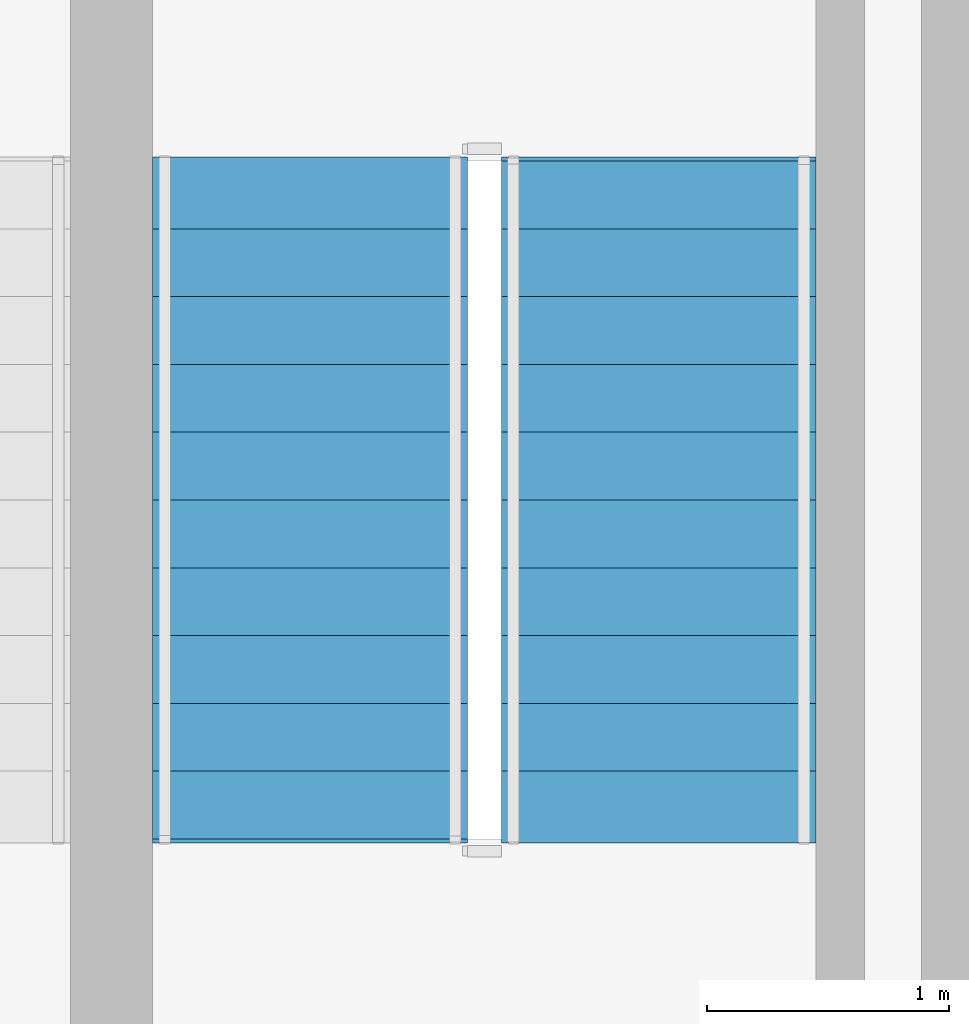
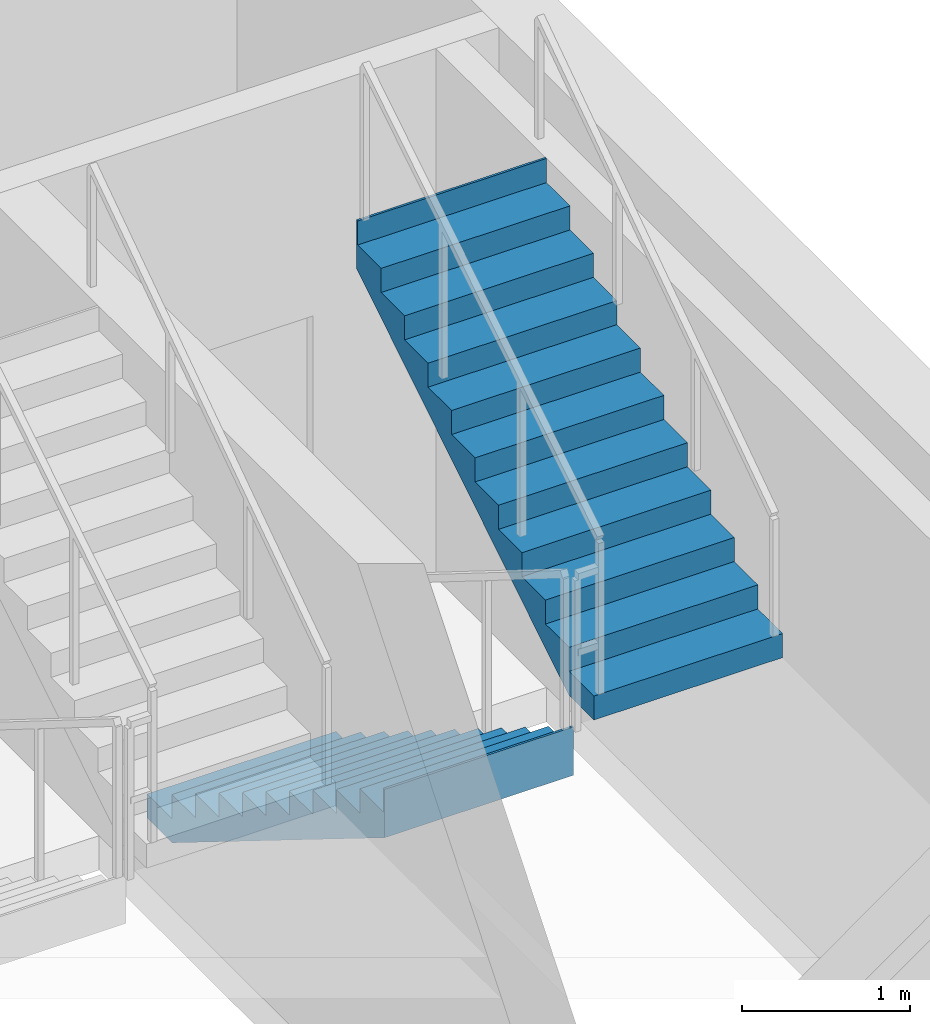
# One storey, part 5 of 7: 2 stair flights, 1 element without a shape of its own.
"""IFC4 building model written with IfcOpenShell, lengths in metres."""

import ifcopenshell
import ifcopenshell.guid

model = None  # the IFC model being written
_history = None  # IfcOwnerHistory: only IFC2X3 demands one
_inside = {}  # id of a spatial element -> (the spatial element, [elements in it])
_under = {}  # id of a project, library or spatial element -> (it, [spatial elements below it])
_declared = {}  # id of a project -> (the project, [libraries it declares])
_typed = {}  # id of a type object -> (the type object, [elements of that type])
_made_of = {}  # id of a material, layer set ... -> (it, [elements and type objects made of it])


def new_model(schema):
    """Start an empty IFC model of exactly this schema.

    Asked for "IFC4X3", IfcOpenShell would pick the latest addendum, in which some entities
    have other attributes; the version numbers below select the first issue.
    IFC2X3 requires an IfcOwnerHistory on every rooted entity: one is made here for all.
    """
    global model, _history
    if schema == "IFC4X3":
        model = ifcopenshell.file(schema_version=(4, 3, 0, 0))
    else:
        model = ifcopenshell.file(schema=schema)
    _inside.clear()
    _under.clear()
    _declared.clear()
    _typed.clear()
    _made_of.clear()
    _history = None
    if model.schema == "IFC2X3":
        org = make("IfcOrganization", Name="unknown")
        user = make(
            "IfcPersonAndOrganization",
            ThePerson=make("IfcPerson", FamilyName="unknown"),
            TheOrganization=org,
        )
        app = make(
            "IfcApplication",
            ApplicationDeveloper=org,
            Version="unknown",
            ApplicationFullName="unknown",
            ApplicationIdentifier="unknown",
        )
        _history = make(
            "IfcOwnerHistory",
            OwningUser=user,
            OwningApplication=app,
            ChangeAction="ADDED",
            CreationDate=0,
        )
    return model


def make(cls, **values):
    """One entity of the class cls with the attributes given. An attribute that is None is left unset."""
    return model.create_entity(
        cls, **{name: value for name, value in values.items() if value is not None}
    )


def rooted(cls, **values):
    """An entity with a GlobalId (a new one), such as an element, a storey or a relation."""
    return make(cls, GlobalId=ifcopenshell.guid.new(), OwnerHistory=_history, **values)


def si_unit(unit_type, name, prefix=None):
    """IfcSIUnit, for example si_unit("LENGTHUNIT", "METRE", prefix="MILLI")."""
    return make("IfcSIUnit", UnitType=unit_type, Prefix=prefix, Name=name)


def derived_unit(unit_type, elements):
    """IfcDerivedUnit: a product of units, each with its exponent."""
    return make(
        "IfcDerivedUnit",
        Elements=[
            make("IfcDerivedUnitElement", Unit=unit, Exponent=power)
            for unit, power in elements
        ],
        UnitType=unit_type,
    )


def assignment(units):
    """IfcUnitAssignment: the units of a project."""
    return None if units is None else make("IfcUnitAssignment", Units=units)


def point(xyz):
    """IfcCartesianPoint."""
    return None if xyz is None else make("IfcCartesianPoint", Coordinates=xyz)


def direction(xyz):
    """IfcDirection."""
    return None if xyz is None else make("IfcDirection", DirectionRatios=xyz)


def frame(location, z_axis=None, x_axis=None):
    """IfcAxis2Placement3D, a coordinate frame: its origin and axes. An axis left out is left unset."""
    return make(
        "IfcAxis2Placement3D",
        Location=point(location),
        Axis=direction(z_axis),
        RefDirection=direction(x_axis),
    )


def origin():
    """The frame at (0, 0, 0) with its axes left unset."""
    return frame((0.0, 0.0, 0.0))


def place(relative_to, where):
    """IfcLocalPlacement: puts the frame where relative to a parent placement (None: the world)."""
    return make(
        "IfcLocalPlacement", PlacementRelTo=relative_to, RelativePlacement=where
    )


def context(
    kind, dimensions, precision=None, world=None, true_north=None, identifier=None
):
    """IfcGeometricRepresentationContext, for example the 3D "Model" context."""
    return make(
        "IfcGeometricRepresentationContext",
        ContextIdentifier=identifier,
        ContextType=kind,
        CoordinateSpaceDimension=dimensions,
        Precision=precision,
        WorldCoordinateSystem=world,
        TrueNorth=true_north,
    )


def subcontext(parent, identifier, kind, view, scale=None):
    """IfcGeometricRepresentationSubContext, for example "Body" below "Model"."""
    return make(
        "IfcGeometricRepresentationSubContext",
        ContextIdentifier=identifier,
        ContextType=kind,
        ParentContext=parent,
        TargetScale=scale,
        TargetView=view,
    )


def project(units=None, contexts=None):
    """IfcProject with its units and contexts."""
    return rooted(
        "IfcProject",
        Name="project",
        RepresentationContexts=contexts,
        UnitsInContext=assignment(units),
    )


def spatial(cls, under=None, at=None, **own):
    """A site, building, storey or space (cls), placed at a placement, below another one or the project."""
    s = rooted(cls, ObjectPlacement=at, **own)
    if under is not None:
        _under.setdefault(under.id(), (under, []))[1].append(s)
    return s


def polyline(points):
    """IfcPolyline through the points."""
    return make("IfcPolyline", Points=[point(p) for p in points])


def outline(outer, holes=None, kind="AREA"):
    """IfcArbitraryClosedProfileDef: a profile drawn as a closed curve; with holes, ...WithVoids."""
    if holes is None:
        return make("IfcArbitraryClosedProfileDef", ProfileType=kind, OuterCurve=outer)
    return make(
        "IfcArbitraryProfileDefWithVoids",
        ProfileType=kind,
        OuterCurve=outer,
        InnerCurves=holes,
    )


def extrude(swept, where, along, depth):
    """IfcExtrudedAreaSolid: the profile swept, set in the frame where, extruded along a direction by depth."""
    return make(
        "IfcExtrudedAreaSolid",
        SweptArea=swept,
        Position=where,
        ExtrudedDirection=direction(along),
        Depth=depth,
    )


def shape(context_of_items, identifier, shape_type, items):
    """IfcShapeRepresentation: the items that make up one representation, for example the "Body"."""
    return make(
        "IfcShapeRepresentation",
        ContextOfItems=context_of_items,
        RepresentationIdentifier=identifier,
        RepresentationType=shape_type,
        Items=items,
    )


def source(mapping_origin, context_of_items, identifier, shape_type, items):
    """IfcRepresentationMap: a shape defined once, which mapped items show again and again."""
    return make(
        "IfcRepresentationMap",
        MappingOrigin=mapping_origin,
        MappedRepresentation=shape(context_of_items, identifier, shape_type, items),
    )


def transform(
    local_origin,
    x_axis=None,
    y_axis=None,
    z_axis=None,
    scale=None,
    scale2=None,
    scale3=None,
    uniform=True,
):
    """IfcCartesianTransformationOperator3D, or its non-uniform kind. x_axis, y_axis, z_axis: its Axis1, 2, 3."""
    if uniform:
        return make(
            "IfcCartesianTransformationOperator3D",
            Axis1=direction(x_axis),
            Axis2=direction(y_axis),
            LocalOrigin=point(local_origin),
            Scale=scale,
            Axis3=direction(z_axis),
        )
    return make(
        "IfcCartesianTransformationOperator3DnonUniform",
        Axis1=direction(x_axis),
        Axis2=direction(y_axis),
        LocalOrigin=point(local_origin),
        Scale=scale,
        Axis3=direction(z_axis),
        Scale2=scale2,
        Scale3=scale3,
    )


def mapped(mapping_source, mapping_target):
    """IfcMappedItem: shows the shape of a source again, moved by a transform."""
    return make(
        "IfcMappedItem", MappingSource=mapping_source, MappingTarget=mapping_target
    )


def material(Name=None, Category=None):
    """IfcMaterial."""
    return make("IfcMaterial", Name=Name, Category=Category)


def layer(
    of_material, thickness, ventilated=None, Name=None, Category=None, Priority=None
):
    """IfcMaterialLayer: one layer of a wall or slab, of a material (None: an air gap)."""
    return make(
        "IfcMaterialLayer",
        Material=of_material,
        LayerThickness=thickness,
        IsVentilated=ventilated,
        Name=Name,
        Category=Category,
        Priority=Priority,
    )


def layer_set(layers, Name=None):
    """IfcMaterialLayerSet."""
    return make("IfcMaterialLayerSet", MaterialLayers=layers, LayerSetName=Name)


def made_of(thing, what):
    """Note that an element or type object is made of a material, layer set ...; save() writes the relation."""
    if what is not None:
        _made_of.setdefault(what.id(), (what, []))[1].append(thing)
    return thing


def type_object(cls, material=None, **own):
    """A type object (cls), such as IfcWallType, which elements share."""
    return made_of(rooted(cls, **own), material)


def element(
    cls,
    number,
    at=None,
    inside=None,
    cuts=None,
    type_object=None,
    material=None,
    context=None,
    identifier="Body",
    shape_type=None,
    held_by="IfcProductDefinitionShape",
    body=None,
    shapes=None,
    **own,
):
    """One element of the class cls, such as IfcWall. Its Tag is "e" and its number.

    at: its placement. inside: the storey or other place that contains it. cuts: it is an
    opening in that element (IfcRelVoidsElement). A single representation is given by context,
    identifier, shape_type and body (its items); several are given by shapes. held_by: the class
    of the entity that holds the representations. save() writes the other relations.
    """
    e = rooted(cls, Tag="e%d" % number, ObjectPlacement=at, **own)
    if body is not None:
        shapes = [shape(context, identifier, shape_type, body)]
    if shapes is not None:
        e.Representation = make(held_by, Representations=shapes)
    if inside is not None:
        _inside.setdefault(inside.id(), (inside, []))[1].append(e)
    if cuts is not None:
        rooted(
            "IfcRelVoidsElement", RelatingBuildingElement=cuts, RelatedOpeningElement=e
        )
    if type_object is not None:
        _typed.setdefault(type_object.id(), (type_object, []))[1].append(e)
    return made_of(e, material)


def aggregate(whole, parts):
    """IfcRelAggregates: a whole, such as a stair, and the parts it consists of."""
    return rooted("IfcRelAggregates", RelatingObject=whole, RelatedObjects=parts)


def save(model, path):
    """Write the relations noted so far, then the file.

    IfcRelAggregates (storeys below a building ...), IfcRelContainedInSpatialStructure (elements
    in a storey), IfcRelDefinesByType, IfcRelAssociatesMaterial and IfcRelDeclares: one each for
    every whole, place, type object, material and project.
    """
    for whole, parts in _under.values():
        aggregate(whole, parts)
    for where, things in _inside.values():
        rooted(
            "IfcRelContainedInSpatialStructure",
            RelatedElements=things,
            RelatingStructure=where,
        )
    for kind, things in _typed.values():
        rooted("IfcRelDefinesByType", RelatedObjects=things, RelatingType=kind)
    for what, things in _made_of.values():
        rooted("IfcRelAssociatesMaterial", RelatedObjects=things, RelatingMaterial=what)
    for by, libraries in _declared.values():
        rooted("IfcRelDeclares", RelatingContext=by, RelatedDefinitions=libraries)
    model.write(path)


model = new_model("IFC4")

# Units and contexts
model_context = context("Model", 3, precision=1e-05, world=origin(), true_north=direction((0.0, 1.0)))
body_context = subcontext(model_context, "Body", "Model", "MODEL_VIEW")
ifc_project = project(units=[si_unit("LENGTHUNIT", "METRE"), si_unit("AREAUNIT", "SQUARE_METRE"), si_unit("VOLUMEUNIT", "CUBIC_METRE"), si_unit("PLANEANGLEUNIT", "RADIAN"), si_unit("MASSUNIT", "GRAM", prefix="KILO"), si_unit("THERMODYNAMICTEMPERATUREUNIT", "KELVIN"), si_unit("POWERUNIT", "WATT"), derived_unit("THERMALTRANSMITTANCEUNIT", [(si_unit("POWERUNIT", "WATT"), 1), (si_unit("AREAUNIT", "SQUARE_METRE"), -1), (si_unit("THERMODYNAMICTEMPERATUREUNIT", "KELVIN"), -1)])], contexts=[model_context])

# Site, building, storey
site_placement = place(None, origin())
site = spatial("IfcSite", under=ifc_project, at=site_placement, CompositionType="ELEMENT")
building_placement = place(site_placement, origin())
building = spatial("IfcBuilding", under=site, at=building_placement, Name="Zahravan Archway Hotel and Residences", CompositionType="ELEMENT")
storey_placement = place(building_placement, frame((0.0, 0.0, 290.449951171875)))
storey = spatial("IfcBuildingStorey", under=building, at=storey_placement, Name="L73", CompositionType="ELEMENT", Elevation=290.449951171875)

# Stair, stair flights
ifc_material = material(Name="Concrete C50/60", Category="concrete")
stair_type = type_object("IfcStairType", Name="STR-CORE-1300", PredefinedType="HALF_TURN_STAIR", material=ifc_material)
stair_placement = place(storey_placement, origin())
stair = element("IfcStair", 1, at=stair_placement, inside=storey, type_object=stair_type, Name="L73 Core A Exit Stair 3", PredefinedType="HALF_TURN_STAIR")
ifc_layer = layer(ifc_material, 0.199951171875, Name="Concrete C50/60", Category="concrete")
ifc_layer_set = layer_set([ifc_layer], Name="Concrete C50/60")
stair_flight_type = type_object("IfcStairFlightType", Name="SFL-CORE-1300", PredefinedType="STRAIGHT", material=ifc_layer_set)
shared_shape = source(origin(), body_context, "Body", "SweptSolid", [
    extrude(outline(polyline([(-0.01611328125, 0.0), (-0.01611328125, 0.175048828125), (0.280029296875, 0.175048828125), (0.280029296875, 0.35009765625), (0.56005859375, 0.35009765625), (0.56005859375, 0.52490234375), (0.840087890625, 0.52490234375), (0.840087890625, 0.699951171875), (1.1201171875, 0.699951171875), (1.1201171875, 0.875), (1.39990234375, 0.875), (1.39990234375, 1.050048828125), (1.679931640625, 1.050048828125), (1.679931640625, 1.22509765625), (1.9599609375, 1.22509765625), (1.9599609375, 1.39990234375), (2.239990234375, 1.39990234375), (2.239990234375, 1.574951171875), (2.52001953125, 1.574951171875), (2.52001953125, 1.75), (2.800048828125, 1.75), (2.800048828125, 1.925048828125), (2.816162109375, 1.925048828125), (2.816162109375, 1.5732421875), (0.28271484375, 0.0), (-0.01611328125, 0.0)])), frame((0.0, 0.64990234375, 0.0), z_axis=(0.0, -1.0, 0.0), x_axis=(1.0, 0.0, 0.0)), (0.0, 0.0, 1.0), 1.300048828125),
])
stair_flight_1_placement = place(storey_placement, frame((47.050048828125, 9.72998046875, 0.0), z_axis=(0.0, 0.0, 1.0), x_axis=(0.0, -1.0, 0.0)))
stair_flight_1 = element("IfcStairFlight", 2, at=stair_flight_1_placement, type_object=stair_flight_type, Name="ST-A3 flight 1", NumberOfRisers=11, NumberOfTreads=10, PredefinedType="STRAIGHT", RiserHeight=0.175, TreadLength=0.28, context=body_context, shape_type="MappedRepresentation", body=[
    mapped(shared_shape, transform((0.0, 0.0, 0.0), scale=1.0)),
])
stair_flight_2_placement = place(storey_placement, frame((48.489990234375, 6.929931640625, 1.925048828125), z_axis=(0.0, 0.0, 1.0), x_axis=(0.0, 1.0, 0.0)))
stair_flight_2 = element("IfcStairFlight", 3, at=stair_flight_2_placement, type_object=stair_flight_type, Name="ST-A3 flight 2", NumberOfRisers=11, NumberOfTreads=10, PredefinedType="STRAIGHT", RiserHeight=0.175, TreadLength=0.28, context=body_context, shape_type="MappedRepresentation", body=[
    mapped(shared_shape, transform((0.0, 0.0, 0.0), scale=1.0)),
])
aggregate(stair, [stair_flight_1, stair_flight_2])

save(model, "model.ifc")
